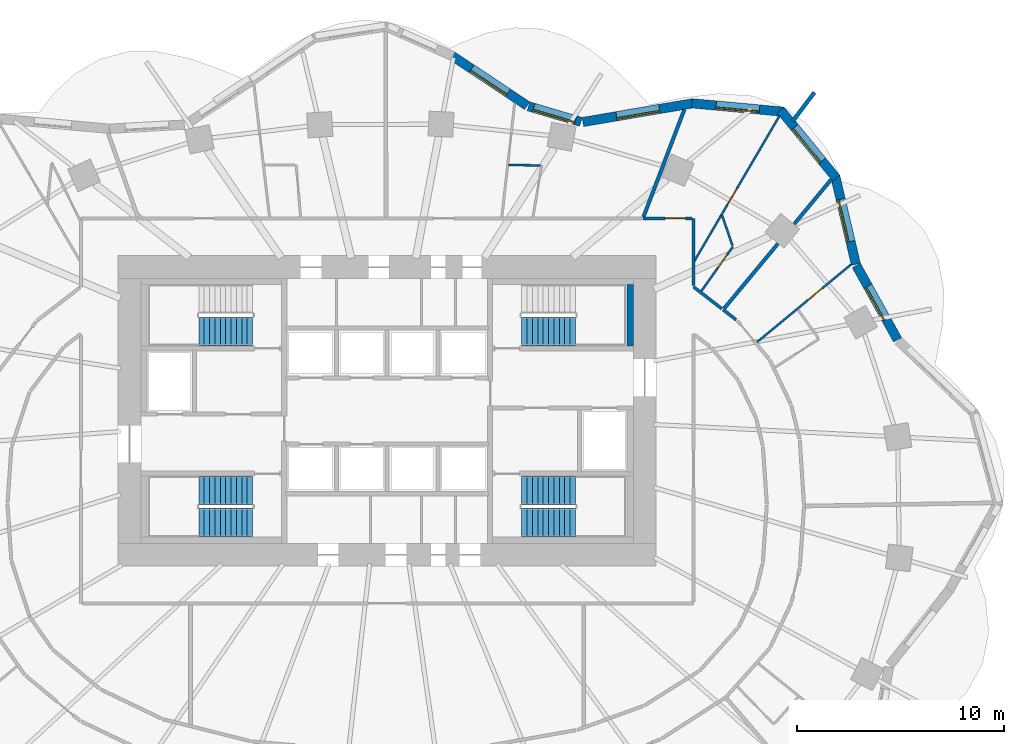
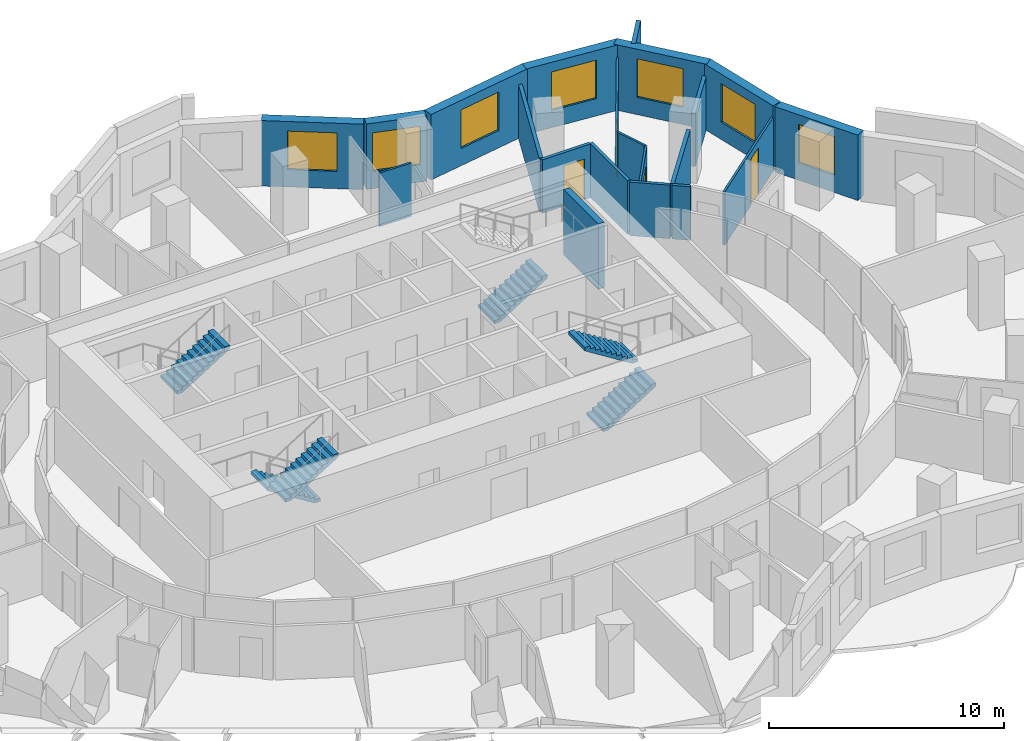
# One storey, part 9 of 11: 21 walls, 7 windows, 6 stair flights, 4 doors, 11 openings, 4 elements without a shape of their own.
"""IFC4 building model written with IfcOpenShell, lengths in metres."""

from ifc_helpers import new_model, si_unit, direction, frame, frame_2d, origin, place, context, subcontext, project, spatial, polyline, rectangle, outline, extrude, material, layer, layer_set, type_object, element, fill, aggregate, save


model = new_model("IFC4")

# Units and contexts
model_context = context("Model", 3, precision=1e-05, world=origin(), true_north=direction((0.0, 1.0)))
body_context = subcontext(model_context, "Body", "Model", "MODEL_VIEW")
ifc_project = project(units=[si_unit("LENGTHUNIT", "METRE"), si_unit("AREAUNIT", "SQUARE_METRE"), si_unit("VOLUMEUNIT", "CUBIC_METRE"), si_unit("PLANEANGLEUNIT", "RADIAN"), si_unit("MASSUNIT", "GRAM", prefix="KILO")], contexts=[model_context])

# Site, building, storey
site_placement = place(None, origin())
site = spatial("IfcSite", under=ifc_project, at=site_placement, CompositionType="ELEMENT")
building_placement = place(site_placement, origin())
building = spatial("IfcBuilding", under=site, at=building_placement, Name="Rubra Terraces Tower", CompositionType="ELEMENT")
storey_placement = place(building_placement, frame((0.0, 0.0, 99.60009765625)))
storey = spatial("IfcBuildingStorey", under=building, at=storey_placement, Name="L23", CompositionType="ELEMENT", Elevation=99.60009765625)

# Walls
ifc_material_1 = material(Name="Twin plasterboard on staggered steel stud, acoustic mineral wool", Category="steel")
ifc_layer_1 = layer(ifc_material_1, 0.175048828125)
ifc_layer_set_1 = layer_set([ifc_layer_1], Name="Twin plasterboard on staggered steel stud, acoustic mineral wool")
wall_type_1 = type_object("IfcWallType", Name="ACOUSTIC PARTY WALL 175", PredefinedType="PARTITIONING", material=ifc_layer_set_1)
wall_1_placement = place(storey_placement, frame((21.45263671875, 15.681640625, 0.0), z_axis=(0.0, 0.0, 1.0), x_axis=(-0.638728991457, -0.769431787407, 0.0)))
element("IfcWall", 1, at=wall_1_placement, inside=storey, type_object=wall_type_1, Name="PARTITION", PredefinedType="PARTITIONING", context=body_context, shape_type="SweptSolid", body=[
    extrude(rectangle(XDim=2.790771484375, YDim=0.175048828125, at=frame_2d((1.3955078125, 0.0))), origin(), (0.0, 0.0, 1.0), 2.783935546875),
])
wall_2_placement = place(storey_placement, frame((18.878173828125, 12.580322265625, 0.0), z_axis=(0.0, 0.0, 1.0), x_axis=(-0.638737279584, -0.769424907102, 0.0)))
element("IfcWall", 2, at=wall_2_placement, inside=storey, type_object=wall_type_1, Name="PARTITION", PredefinedType="PARTITIONING", context=body_context, shape_type="SweptSolid", body=[
    extrude(rectangle(XDim=4.06884765625, YDim=0.175048828125, at=frame_2d((2.034423828125, 0.0))), origin(), (0.0, 0.0, 1.0), 2.783935546875),
])
wall_3_placement = place(storey_placement, frame((14.358642578125, 19.062744140625, 0.0), z_axis=(0.0, 0.0, 1.0), x_axis=(-0.355746808742, -0.934582370939, 0.0)))
element("IfcWall", 3, at=wall_3_placement, inside=storey, type_object=wall_type_1, Name="PARTITION", PredefinedType="PARTITIONING", context=body_context, shape_type="SweptSolid", body=[
    extrude(rectangle(XDim=5.55615234375, YDim=0.175048828125, at=frame_2d((2.778076171875, 0.0))), origin(), (0.0, 0.0, 1.0), 2.783935546875),
])

# Wall, opening, window
ifc_material_2 = material(Name="Brick masonry red-brown", Category="masonry")
ifc_layer_2 = layer(ifc_material_2, 0.449951171875)
ifc_layer_set_2 = layer_set([ifc_layer_2], Name="Brick masonry red-brown")
wall_type_2 = type_object("IfcWallType", Name="Brick facade wall 450", PredefinedType="SOLIDWALL", material=ifc_layer_set_2)
wall_4_placement = place(storey_placement, frame((24.662109375, 7.93896484375, 0.0), z_axis=(0.0, 0.0, 1.0), x_axis=(-0.485153910721, 0.874428775208, 0.0)))
wall_4 = element("IfcWall", 4, at=wall_4_placement, inside=storey, type_object=wall_type_2, Name="Facade wall L23 bay 3", PredefinedType="SOLIDWALL", context=body_context, shape_type="SweptSolid", body=[
    extrude(rectangle(XDim=4.1123046875, YDim=0.449951171875, at=frame_2d((2.05615234375, 0.0))), origin(), (0.0, 0.0, 1.0), 3.39990234375),
])
opening_1_placement = place(wall_4_placement, frame((1.15625, 0.0, 0.89990234375)))
opening_1 = element("IfcOpeningElement", 5, at=opening_1_placement, cuts=wall_4, Name="Opening W6", PredefinedType="OPENING", context=body_context, shape_type="SweptSolid", body=[
    extrude(rectangle(XDim=1.800048828125, YDim=2.0, at=frame_2d((0.89990234375, 1.0))), frame((0.0, 0.23486328125, 0.0), z_axis=(0.0, -1.0, 0.0), x_axis=(1.0, 0.0, 0.0)), (0.0, 0.0, 1.0), 0.469970703125),
])
ifc_material_3 = material(Name="Clear glass in aluminium frame", Category="aluminium")
window_type_1 = type_object("IfcWindowType", Name="Fixed deep-set window at wind fin 1800 x 2000", PartitioningType="SINGLE_PANEL", PredefinedType="WINDOW", material=ifc_material_3)
window_1_placement = place(opening_1_placement, origin())
window_1 = element("IfcWindow", 6, at=window_1_placement, inside=storey, type_object=window_type_1, Name="Window L23 bay 3", OverallHeight=2.0, OverallWidth=1.800048828125, PartitioningType="SINGLE_PANEL", PredefinedType="WINDOW", context=body_context, shape_type="SweptSolid", body=[
    extrude(rectangle(XDim=1.800048828125, YDim=2.0, at=frame_2d((0.89990234375, 1.0))), frame((0.0, 0.135009765625, 0.0), z_axis=(0.0, -1.0, 0.0), x_axis=(1.0, 0.0, 0.0)), (0.0, 0.0, 1.0), 0.06005859375),
])
fill(opening_1, window_1)

wall_5_placement = place(storey_placement, frame((22.646484375, 11.5859375, 0.0), z_axis=(0.0, 0.0, 1.0), x_axis=(-0.227925124198, 0.973678662475, 0.0)))
wall_5 = element("IfcWall", 7, at=wall_5_placement, inside=storey, type_object=wall_type_2, Name="Facade wall L23 bay 4", PredefinedType="SOLIDWALL", context=body_context, shape_type="SweptSolid", body=[
    extrude(rectangle(XDim=4.360595703125, YDim=0.449951171875, at=frame_2d((2.18017578125, 0.0))), origin(), (0.0, 0.0, 1.0), 3.39990234375),
])
opening_2_placement = place(wall_5_placement, frame((1.13037109375, 0.0, 0.89990234375)))
opening_2 = element("IfcOpeningElement", 8, at=opening_2_placement, cuts=wall_5, Name="Opening W1", PredefinedType="OPENING", context=body_context, shape_type="SweptSolid", body=[
    extrude(rectangle(XDim=2.10009765625, YDim=2.0, at=frame_2d((1.050048828125, 1.0))), frame((0.0, 0.23486328125, 0.0), z_axis=(0.0, -1.0, 0.0), x_axis=(1.0, 0.0, 0.0)), (0.0, 0.0, 1.0), 0.469970703125),
])
window_type_2 = type_object("IfcWindowType", Name="Fixed deep-set window 2100 x 2000", PartitioningType="SINGLE_PANEL", PredefinedType="WINDOW", material=ifc_material_3)
window_2_placement = place(opening_2_placement, origin())
window_2 = element("IfcWindow", 9, at=window_2_placement, inside=storey, type_object=window_type_2, Name="Window L23 bay 4", OverallHeight=2.0, OverallWidth=2.10009765625, PartitioningType="SINGLE_PANEL", PredefinedType="WINDOW", context=body_context, shape_type="SweptSolid", body=[
    extrude(rectangle(XDim=2.10009765625, YDim=2.0, at=frame_2d((1.050048828125, 1.0))), frame((0.0, 0.135009765625, 0.0), z_axis=(0.0, -1.0, 0.0), x_axis=(1.0, 0.0, 0.0)), (0.0, 0.0, 1.0), 0.06005859375),
])
fill(opening_2, window_2)

wall_6_placement = place(storey_placement, frame((21.69580078125, 15.74755859375, 0.0), z_axis=(0.0, 0.0, 1.0), x_axis=(-0.632968710519, 0.774177377288, 0.0)))
wall_6 = element("IfcWall", 10, at=wall_6_placement, inside=storey, type_object=wall_type_2, Name="Facade wall L23 bay 5", PredefinedType="SOLIDWALL", context=body_context, shape_type="SweptSolid", body=[
    extrude(rectangle(XDim=4.249755859375, YDim=0.449951171875, at=frame_2d((2.125, 0.0))), origin(), (0.0, 0.0, 1.0), 3.39990234375),
])
opening_3_placement = place(wall_6_placement, frame((1.074951171875, 0.0, 0.89990234375)))
opening_3 = element("IfcOpeningElement", 11, at=opening_3_placement, cuts=wall_6, Name="Opening W1", PredefinedType="OPENING", context=body_context, shape_type="SweptSolid", body=[
    extrude(rectangle(XDim=2.10009765625, YDim=2.0, at=frame_2d((1.050048828125, 1.0))), frame((0.0, 0.23486328125, 0.0), z_axis=(0.0, -1.0, 0.0), x_axis=(1.0, 0.0, 0.0)), (0.0, 0.0, 1.0), 0.469970703125),
])
window_3_placement = place(opening_3_placement, origin())
window_3 = element("IfcWindow", 12, at=window_3_placement, inside=storey, type_object=window_type_2, Name="Window L23 bay 5", OverallHeight=2.0, OverallWidth=2.10009765625, PartitioningType="SINGLE_PANEL", PredefinedType="WINDOW", context=body_context, shape_type="SweptSolid", body=[
    extrude(rectangle(XDim=2.10009765625, YDim=2.0, at=frame_2d((1.050048828125, 1.0))), frame((0.0, 0.135009765625, 0.0), z_axis=(0.0, -1.0, 0.0), x_axis=(1.0, 0.0, 0.0)), (0.0, 0.0, 1.0), 0.06005859375),
])
fill(opening_3, window_3)

wall_7_placement = place(storey_placement, frame((19.1591796875, 18.955810546875, 0.0), z_axis=(0.0, 0.0, 1.0), x_axis=(-0.995777399421, 0.091800712424, 0.0)))
wall_7 = element("IfcWall", 13, at=wall_7_placement, inside=storey, type_object=wall_type_2, Name="Facade wall L23 bay 6", PredefinedType="SOLIDWALL", context=body_context, shape_type="SweptSolid", body=[
    extrude(rectangle(XDim=4.45458984375, YDim=0.449951171875, at=frame_2d((2.227294921875, 0.0))), origin(), (0.0, 0.0, 1.0), 3.39990234375),
])
opening_4_placement = place(wall_7_placement, frame((1.177490234375, 0.0, 0.89990234375)))
opening_4 = element("IfcOpeningElement", 14, at=opening_4_placement, cuts=wall_7, Name="Opening W1", PredefinedType="OPENING", context=body_context, shape_type="SweptSolid", body=[
    extrude(rectangle(XDim=2.10009765625, YDim=2.0, at=frame_2d((1.050048828125, 1.0))), frame((0.0, 0.23486328125, 0.0), z_axis=(0.0, -1.0, 0.0), x_axis=(1.0, 0.0, 0.0)), (0.0, 0.0, 1.0), 0.469970703125),
])
window_4_placement = place(opening_4_placement, origin())
window_4 = element("IfcWindow", 15, at=window_4_placement, inside=storey, type_object=window_type_2, Name="Window L23 bay 6", OverallHeight=2.0, OverallWidth=2.10009765625, PartitioningType="SINGLE_PANEL", PredefinedType="WINDOW", context=body_context, shape_type="SweptSolid", body=[
    extrude(rectangle(XDim=2.10009765625, YDim=2.0, at=frame_2d((1.050048828125, 1.0))), frame((0.0, 0.135009765625, 0.0), z_axis=(0.0, -1.0, 0.0), x_axis=(1.0, 0.0, 0.0)), (0.0, 0.0, 1.0), 0.06005859375),
])
fill(opening_4, window_4)

wall_8_placement = place(storey_placement, frame((14.78173828125, 19.366943359375, 0.0), z_axis=(0.0, 0.0, 1.0), x_axis=(-0.98585584667, -0.167595493934, 0.0)))
wall_8 = element("IfcWall", 16, at=wall_8_placement, inside=storey, type_object=wall_type_2, Name="Facade wall L23 bay 7", PredefinedType="SOLIDWALL", context=body_context, shape_type="SweptSolid", body=[
    extrude(rectangle(XDim=5.398681640625, YDim=0.449951171875, at=frame_2d((2.69921875, 0.0))), origin(), (0.0, 0.0, 1.0), 3.39990234375),
])
opening_5_placement = place(wall_8_placement, frame((1.6494140625, 0.0, 0.89990234375)))
opening_5 = element("IfcOpeningElement", 17, at=opening_5_placement, cuts=wall_8, Name="Opening W1", PredefinedType="OPENING", context=body_context, shape_type="SweptSolid", body=[
    extrude(rectangle(XDim=2.10009765625, YDim=2.0, at=frame_2d((1.050048828125, 1.0))), frame((0.0, 0.23486328125, 0.0), z_axis=(0.0, -1.0, 0.0), x_axis=(1.0, 0.0, 0.0)), (0.0, 0.0, 1.0), 0.469970703125),
])
window_5_placement = place(opening_5_placement, origin())
window_5 = element("IfcWindow", 18, at=window_5_placement, inside=storey, type_object=window_type_2, Name="Window L23 bay 7", OverallHeight=2.0, OverallWidth=2.10009765625, PartitioningType="SINGLE_PANEL", PredefinedType="WINDOW", context=body_context, shape_type="SweptSolid", body=[
    extrude(rectangle(XDim=2.10009765625, YDim=2.0, at=frame_2d((1.050048828125, 1.0))), frame((0.0, 0.135009765625, 0.0), z_axis=(0.0, -1.0, 0.0), x_axis=(1.0, 0.0, 0.0)), (0.0, 0.0, 1.0), 0.06005859375),
])
fill(opening_5, window_5)

wall_9_placement = place(storey_placement, frame((9.357421875, 18.468505859375, 0.0), z_axis=(0.0, 0.0, 1.0), x_axis=(-0.958524054629, 0.285011643091, 0.0)))
wall_9 = element("IfcWall", 19, at=wall_9_placement, inside=storey, type_object=wall_type_2, Name="Facade wall L23 bay 8", PredefinedType="SOLIDWALL", context=body_context, shape_type="SweptSolid", body=[
    extrude(rectangle(XDim=2.637451171875, YDim=0.449951171875, at=frame_2d((1.31884765625, 0.0))), origin(), (0.0, 0.0, 1.0), 3.39990234375),
])
opening_6_placement = place(wall_9_placement, frame((0.268798828125, 0.0, 0.89990234375)))
opening_6 = element("IfcOpeningElement", 20, at=opening_6_placement, cuts=wall_9, Name="Opening W1", PredefinedType="OPENING", context=body_context, shape_type="SweptSolid", body=[
    extrude(rectangle(XDim=2.10009765625, YDim=2.0, at=frame_2d((1.050048828125, 1.0))), frame((0.0, 0.23486328125, 0.0), z_axis=(0.0, -1.0, 0.0), x_axis=(1.0, 0.0, 0.0)), (0.0, 0.0, 1.0), 0.469970703125),
])
window_6_placement = place(opening_6_placement, origin())
window_6 = element("IfcWindow", 21, at=window_6_placement, inside=storey, type_object=window_type_2, Name="Window L23 bay 8", OverallHeight=2.0, OverallWidth=2.10009765625, PartitioningType="SINGLE_PANEL", PredefinedType="WINDOW", context=body_context, shape_type="SweptSolid", body=[
    extrude(rectangle(XDim=2.10009765625, YDim=2.0, at=frame_2d((1.050048828125, 1.0))), frame((0.0, 0.135009765625, 0.0), z_axis=(0.0, -1.0, 0.0), x_axis=(1.0, 0.0, 0.0)), (0.0, 0.0, 1.0), 0.06005859375),
])
fill(opening_6, window_6)

wall_10_placement = place(storey_placement, frame((6.76904296875, 19.248291015625, 0.0), z_axis=(0.0, 0.0, 1.0), x_axis=(-0.832973379274, 0.553313066375, 0.0)))
wall_10 = element("IfcWall", 22, at=wall_10_placement, inside=storey, type_object=wall_type_2, Name="Facade wall L23 bay 9", PredefinedType="SOLIDWALL", context=body_context, shape_type="SweptSolid", body=[
    extrude(rectangle(XDim=4.348388671875, YDim=0.449951171875, at=frame_2d((2.17431640625, 0.0))), origin(), (0.0, 0.0, 1.0), 3.39990234375),
])
opening_7_placement = place(wall_10_placement, frame((1.1240234375, 0.0, 0.89990234375)))
opening_7 = element("IfcOpeningElement", 23, at=opening_7_placement, cuts=wall_10, Name="Opening W1", PredefinedType="OPENING", context=body_context, shape_type="SweptSolid", body=[
    extrude(rectangle(XDim=2.10009765625, YDim=2.0, at=frame_2d((1.050048828125, 1.0))), frame((0.0, 0.23486328125, 0.0), z_axis=(0.0, -1.0, 0.0), x_axis=(1.0, 0.0, 0.0)), (0.0, 0.0, 1.0), 0.469970703125),
])
window_7_placement = place(opening_7_placement, origin())
window_7 = element("IfcWindow", 24, at=window_7_placement, inside=storey, type_object=window_type_2, Name="Window L23 bay 9", OverallHeight=2.0, OverallWidth=2.10009765625, PartitioningType="SINGLE_PANEL", PredefinedType="WINDOW", context=body_context, shape_type="SweptSolid", body=[
    extrude(rectangle(XDim=2.10009765625, YDim=2.0, at=frame_2d((1.050048828125, 1.0))), frame((0.0, 0.135009765625, 0.0), z_axis=(0.0, -1.0, 0.0), x_axis=(1.0, 0.0, 0.0)), (0.0, 0.0, 1.0), 0.06005859375),
])
fill(opening_7, window_7)

# Walls
ifc_layer_3 = layer(ifc_material_2, 0.199951171875)
ifc_layer_set_3 = layer_set([ifc_layer_3], Name="Brick masonry red-brown")
wall_type_3 = type_object("IfcWallType", Name="Brick wind fin 200", PredefinedType="SOLIDWALL", material=ifc_layer_set_3)
wall_11_placement = place(storey_placement, frame((19.591064453125, 18.498046875, 0.0), z_axis=(0.0, 0.0, 1.0), x_axis=(0.603387525063, 0.797448114048, 0.0)))
element("IfcWall", 25, at=wall_11_placement, inside=storey, type_object=wall_type_3, Name="Wind fin L23 3", PredefinedType="SOLIDWALL", context=body_context, shape_type="SweptSolid", body=[
    extrude(rectangle(XDim=1.75, YDim=0.199951171875, at=frame_2d((0.875, 0.0))), origin(), (0.0, 0.0, 1.0), 3.39990234375),
])
ifc_material_4 = material(Name="Plasterboard on steel stud, mineral wool infill", Category="steel")
ifc_layer_4 = layer(ifc_material_4, 0.14990234375)
ifc_layer_set_4 = layer_set([ifc_layer_4], Name="Plasterboard on steel stud, mineral wool infill")
wall_type_4 = type_object("IfcWallType", Name="CORRIDOR PARTITION 150", PredefinedType="PARTITIONING", material=ifc_layer_set_4)
wall_12_placement = place(storey_placement, frame((16.86181640625, 8.905029296875, 0.0), z_axis=(0.0, 0.0, 1.0), x_axis=(-0.791460242133, 0.611220651748, 0.0)))
element("IfcWall", 26, at=wall_12_placement, inside=storey, type_object=wall_type_4, Name="PARTITION", PredefinedType="PARTITIONING", context=body_context, shape_type="SweptSolid", body=[
    extrude(rectangle(XDim=0.79638671875, YDim=0.14990234375, at=frame_2d((0.398193359375, 0.0))), origin(), (0.0, 0.0, 1.0), 2.783935546875),
])
wall_13_placement = place(storey_placement, frame((16.172119140625, 9.437744140625, 0.0), z_axis=(0.0, 0.0, 1.0), x_axis=(-0.791607054889, 0.611030498952, 0.0)))
element("IfcWall", 27, at=wall_13_placement, inside=storey, type_object=wall_type_4, Name="PARTITION", PredefinedType="PARTITIONING", context=body_context, shape_type="SweptSolid", body=[
    extrude(rectangle(XDim=1.733154296875, YDim=0.14990234375, at=frame_2d((0.86669921875, 0.0))), origin(), (0.0, 0.0, 1.0), 2.783935546875),
])
wall_14_placement = place(storey_placement, frame((14.800048828125, 10.57177734375, 0.0), z_axis=(0.0, 0.0, 1.0), x_axis=(0.0, 1.0, 0.0)))
element("IfcWall", 28, at=wall_14_placement, inside=storey, type_object=wall_type_4, Name="PARTITION", PredefinedType="PARTITIONING", context=body_context, shape_type="SweptSolid", body=[
    extrude(rectangle(XDim=3.228271484375, YDim=0.14990234375, at=frame_2d((1.6142578125, 0.0))), origin(), (0.0, 0.0, 1.0), 2.783935546875),
])

# Wall, opening, door
wall_15_placement = place(storey_placement, frame((14.72509765625, 13.800048828125, 0.0), z_axis=(0.0, 0.0, 1.0), x_axis=(-1.0, 0.0, 0.0)))
wall_15 = element("IfcWall", 29, at=wall_15_placement, inside=storey, type_object=wall_type_4, Name="PARTITION", PredefinedType="PARTITIONING", context=body_context, shape_type="SweptSolid", body=[
    extrude(rectangle(XDim=2.36962890625, YDim=0.14990234375, at=frame_2d((1.184814453125, 0.0))), origin(), (0.0, 0.0, 1.0), 2.783935546875),
])
opening_8_placement = place(wall_15_placement, frame((0.300048828125, 0.0, 0.0)))
opening_8 = element("IfcOpeningElement", 30, at=opening_8_placement, cuts=wall_15, Name="Opening 23-125", PredefinedType="OPENING", context=body_context, shape_type="SweptSolid", body=[
    extrude(rectangle(XDim=1.0, YDim=2.10009765625, at=frame_2d((0.5, 1.050048828125))), frame((0.0, 0.0849609375, 0.0), z_axis=(0.0, -1.0, 0.0), x_axis=(1.0, 0.0, 0.0)), (0.0, 0.0, 1.0), 0.169921875),
])
ifc_material_5 = material(Name="Painted timber door leaf", Category="wood")
door_type_1 = type_object("IfcDoorType", Name="ROOM DOOR 1000 X 2100", OperationType="SINGLE_SWING_LEFT", PredefinedType="DOOR", material=ifc_material_5)
door_1_placement = place(opening_8_placement, origin())
door_1 = element("IfcDoor", 31, at=door_1_placement, inside=storey, type_object=door_type_1, Name="DOOR 23-125", OperationType="SINGLE_SWING_RIGHT", OverallHeight=2.10009765625, OverallWidth=1.0, PredefinedType="DOOR", context=body_context, shape_type="SweptSolid", body=[
    extrude(rectangle(XDim=1.0, YDim=2.10009765625, at=frame_2d((0.5, 1.050048828125))), frame((0.0, 0.02490234375, 0.0), z_axis=(0.0, -1.0, 0.0), x_axis=(1.0, 0.0, 0.0)), (0.0, 0.0, 1.0), 0.050048828125),
])
fill(opening_8, door_1)

# Wall
ifc_material_6 = material(Name="Concrete C40", Category="concrete")
ifc_layer_5 = layer(ifc_material_6, 0.300048828125)
ifc_layer_set_5 = layer_set([ifc_layer_5], Name="Concrete C40")
wall_type_5 = type_object("IfcWallType", Name="Core lining wall 300 concrete", PredefinedType="SOLIDWALL", material=ifc_layer_set_5)
wall_16_placement = place(storey_placement, frame((11.75, 10.60009765625, 0.0), z_axis=(0.0, 0.0, 1.0), x_axis=(0.0, -1.0, 0.0)))
element("IfcWall", 32, at=wall_16_placement, inside=storey, type_object=wall_type_5, Name="CORE LINING WALL L23", PredefinedType="SOLIDWALL", context=body_context, shape_type="SweptSolid", body=[
    extrude(rectangle(XDim=2.9501953125, YDim=0.300048828125, at=frame_2d((1.47509765625, 0.0))), origin(), (0.0, 0.0, 1.0), 3.39990234375),
])

# Wall, opening, door
ifc_material_7 = material(Name="Plasterboard on steel stud", Category="steel")
ifc_layer_6 = layer(ifc_material_7, 0.10009765625)
ifc_layer_set_6 = layer_set([ifc_layer_6], Name="Plasterboard on steel stud")
wall_type_6 = type_object("IfcWallType", Name="ROOM PARTITION 100", PredefinedType="PARTITIONING", material=ifc_layer_set_6)
wall_17_placement = place(storey_placement, frame((22.41357421875, 11.576416015625, 0.0), z_axis=(0.0, 0.0, 1.0), x_axis=(-0.77113161257, -0.636675769992, 0.0)))
wall_17 = element("IfcWall", 33, at=wall_17_placement, inside=storey, type_object=wall_type_6, Name="PARTITION", PredefinedType="PARTITIONING", context=body_context, shape_type="SweptSolid", body=[
    extrude(rectangle(XDim=5.890380859375, YDim=0.10009765625, at=frame_2d((2.9453125, 0.0))), origin(), (0.0, 0.0, 1.0), 2.783935546875),
])
opening_9_placement = place(wall_17_placement, frame((1.81494140625, 0.0, 0.0)))
opening_9 = element("IfcOpeningElement", 34, at=opening_9_placement, cuts=wall_17, Name="Opening 23-121", PredefinedType="OPENING", context=body_context, shape_type="SweptSolid", body=[
    extrude(rectangle(XDim=0.89990234375, YDim=2.39990234375, at=frame_2d((0.449951171875, 1.199951171875))), frame((0.0, 0.06005859375, 0.0), z_axis=(0.0, -1.0, 0.0), x_axis=(1.0, 0.0, 0.0)), (0.0, 0.0, 1.0), 0.1201171875),
])
ifc_material_8 = material(Name="Veneered timber door leaf, fire-rated", Category="wood")
door_type_2 = type_object("IfcDoorType", Name="SUITE ENTRANCE DOOR 900 X 2400", OperationType="SINGLE_SWING_LEFT", PredefinedType="DOOR", material=ifc_material_8)
door_2_placement = place(opening_9_placement, origin())
door_2 = element("IfcDoor", 35, at=door_2_placement, inside=storey, type_object=door_type_2, Name="DOOR 23-121", OperationType="SINGLE_SWING_LEFT", OverallHeight=2.39990234375, OverallWidth=0.89990234375, PredefinedType="DOOR", context=body_context, shape_type="SweptSolid", body=[
    extrude(rectangle(XDim=0.89990234375, YDim=2.39990234375, at=frame_2d((0.449951171875, 1.199951171875))), frame((0.0, 0.02490234375, 0.0), z_axis=(0.0, -1.0, 0.0), x_axis=(1.0, 0.0, 0.0)), (0.0, 0.0, 1.0), 0.050048828125),
])
fill(opening_9, door_2)

wall_18_placement = place(storey_placement, frame((18.94873046875, 18.745361328125, 0.0), z_axis=(0.0, 0.0, 1.0), x_axis=(-0.505754187447, -0.862677634972, 0.0)))
wall_18 = element("IfcWall", 36, at=wall_18_placement, inside=storey, type_object=wall_type_6, Name="PARTITION", PredefinedType="PARTITIONING", context=body_context, shape_type="SweptSolid", body=[
    extrude(rectangle(XDim=8.128173828125, YDim=0.10009765625, at=frame_2d((4.06396484375, 0.0))), origin(), (0.0, 0.0, 1.0), 2.783935546875),
])
opening_10_placement = place(wall_18_placement, frame((4.052978515625, 0.0, 0.0)))
opening_10 = element("IfcOpeningElement", 37, at=opening_10_placement, cuts=wall_18, Name="Opening 23-124", PredefinedType="OPENING", context=body_context, shape_type="SweptSolid", body=[
    extrude(rectangle(XDim=0.89990234375, YDim=2.39990234375, at=frame_2d((0.449951171875, 1.199951171875))), frame((0.0, 0.06005859375, 0.0), z_axis=(0.0, -1.0, 0.0), x_axis=(1.0, 0.0, 0.0)), (0.0, 0.0, 1.0), 0.1201171875),
])
door_3_placement = place(opening_10_placement, origin())
door_3 = element("IfcDoor", 38, at=door_3_placement, inside=storey, type_object=door_type_2, Name="DOOR 23-124", OperationType="SINGLE_SWING_LEFT", OverallHeight=2.39990234375, OverallWidth=0.89990234375, PredefinedType="DOOR", context=body_context, shape_type="SweptSolid", body=[
    extrude(rectangle(XDim=0.89990234375, YDim=2.39990234375, at=frame_2d((0.449951171875, 1.199951171875))), frame((0.0, 0.02490234375, 0.0), z_axis=(0.0, -1.0, 0.0), x_axis=(1.0, 0.0, 0.0)), (0.0, 0.0, 1.0), 0.050048828125),
])
fill(opening_10, door_3)

wall_19_placement = place(storey_placement, frame((15.1826171875, 10.296142578125, 0.0), z_axis=(0.0, 0.0, 1.0), x_axis=(0.578992412459, 0.815332929738, 0.0)))
wall_19 = element("IfcWall", 39, at=wall_19_placement, inside=storey, type_object=wall_type_6, Name="PARTITION", PredefinedType="PARTITIONING", context=body_context, shape_type="SweptSolid", body=[
    extrude(rectangle(XDim=2.624755859375, YDim=0.10009765625, at=frame_2d((1.3125, 0.0))), origin(), (0.0, 0.0, 1.0), 2.783935546875),
])
opening_11_placement = place(wall_19_placement, frame((1.35009765625, 0.0, 0.0)))
opening_11 = element("IfcOpeningElement", 40, at=opening_11_placement, cuts=wall_19, Name="Opening 23-123", PredefinedType="OPENING", context=body_context, shape_type="SweptSolid", body=[
    extrude(rectangle(XDim=0.800048828125, YDim=2.10009765625, at=frame_2d((0.39990234375, 1.050048828125))), frame((0.0, 0.06005859375, 0.0), z_axis=(0.0, -1.0, 0.0), x_axis=(1.0, 0.0, 0.0)), (0.0, 0.0, 1.0), 0.1201171875),
])
door_type_3 = type_object("IfcDoorType", Name="BATHROOM DOOR 800 X 2100", OperationType="SINGLE_SWING_LEFT", PredefinedType="DOOR", material=ifc_material_5)
door_4_placement = place(opening_11_placement, origin())
door_4 = element("IfcDoor", 41, at=door_4_placement, inside=storey, type_object=door_type_3, Name="DOOR 23-123", OperationType="SINGLE_SWING_LEFT", OverallHeight=2.10009765625, OverallWidth=0.800048828125, PredefinedType="DOOR", context=body_context, shape_type="SweptSolid", body=[
    extrude(rectangle(XDim=0.800048828125, YDim=2.10009765625, at=frame_2d((0.39990234375, 1.050048828125))), frame((0.0, 0.02490234375, 0.0), z_axis=(0.0, -1.0, 0.0), x_axis=(1.0, 0.0, 0.0)), (0.0, 0.0, 1.0), 0.050048828125),
])
fill(opening_11, door_4)

# Walls
wall_20_placement = place(storey_placement, frame((16.686279296875, 12.483642578125, 0.0), z_axis=(0.0, 0.0, 1.0), x_axis=(-0.325136945244, 0.94566694287, 0.0)))
element("IfcWall", 42, at=wall_20_placement, inside=storey, type_object=wall_type_6, Name="PARTITION", PredefinedType="PARTITIONING", context=body_context, shape_type="SweptSolid", body=[
    extrude(rectangle(XDim=1.55126953125, YDim=0.10009765625, at=frame_2d((0.775634765625, 0.0))), origin(), (0.0, 0.0, 1.0), 2.783935546875),
])
wall_21_placement = place(storey_placement, frame((7.41552734375, 16.3642578125, 0.0), z_axis=(0.0, 0.0, 1.0), x_axis=(-0.999925671337, 0.012192284512, 0.0)))
element("IfcWall", 43, at=wall_21_placement, inside=storey, type_object=wall_type_6, Name="PARTITION", PredefinedType="PARTITIONING", context=body_context, shape_type="SweptSolid", body=[
    extrude(rectangle(XDim=1.541748046875, YDim=0.10009765625, at=frame_2d((0.77099609375, 0.0))), origin(), (0.0, 0.0, 1.0), 2.783935546875),
])

# Stair, stair flights
stair_type = type_object("IfcStairType", Name="Core stair 1400", PredefinedType="HALF_TURN_STAIR", material=ifc_material_6)
stair_1_placement = place(storey_placement, origin())
stair_1 = element("IfcStair", 44, at=stair_1_placement, inside=storey, type_object=stair_type, Name="L23 Exit stair S1", PredefinedType="HALF_TURN_STAIR")
stair_flight_type = type_object("IfcStairFlightType", Name="Core stair flight 1400", PredefinedType="STRAIGHT", material=ifc_material_6)
stair_flight_1_placement = place(storey_placement, frame((-6.5, 0.64990234375, 0.0), z_axis=(0.0, 0.0, 1.0), x_axis=(-1.0, 0.0, 0.0)))
stair_flight_1 = element("IfcStairFlight", 45, at=stair_flight_1_placement, type_object=stair_flight_type, Name="S1 flight 1", NumberOfRisers=11, NumberOfTreads=10, PredefinedType="STRAIGHT", RiserHeight=0.163636364, TreadLength=0.26, context=body_context, shape_type="SweptSolid", body=[
    extrude(outline(polyline([(0.0, 0.0), (0.0, 0.16357421875), (0.260009765625, 0.16357421875), (0.260009765625, 0.327392578125), (0.52001953125, 0.327392578125), (0.52001953125, 0.490966796875), (0.780029296875, 0.490966796875), (0.780029296875, 0.654541015625), (1.0400390625, 0.654541015625), (1.0400390625, 0.818115234375), (1.300048828125, 0.818115234375), (1.300048828125, 0.98193359375), (1.56005859375, 0.98193359375), (1.56005859375, 1.1455078125), (1.820068359375, 1.1455078125), (1.820068359375, 1.30908203125), (2.080078125, 1.30908203125), (2.080078125, 1.47265625), (2.340087890625, 1.47265625), (2.340087890625, 1.636474609375), (2.60009765625, 1.636474609375), (2.60009765625, 1.800048828125), (2.60009765625, 1.459228515625), (0.281494140625, 0.0), (0.0, 0.0)])), frame((0.0, 0.699951171875, 0.0), z_axis=(0.0, -1.0, 0.0), x_axis=(1.0, 0.0, 0.0)), (0.0, 0.0, 1.0), 1.39990234375),
])
stair_flight_2_placement = place(storey_placement, frame((-9.10009765625, -0.89990234375, 1.7998046875), z_axis=(0.0, 0.0, 1.0), x_axis=(1.0, 0.0, 0.0)))
stair_flight_2 = element("IfcStairFlight", 46, at=stair_flight_2_placement, type_object=stair_flight_type, Name="S1 flight 2", NumberOfRisers=11, NumberOfTreads=10, PredefinedType="STRAIGHT", RiserHeight=0.163636364, TreadLength=0.26, context=body_context, shape_type="SweptSolid", body=[
    extrude(outline(polyline([(0.0, 0.0), (0.0, 0.16357421875), (0.260009765625, 0.16357421875), (0.260009765625, 0.327392578125), (0.52001953125, 0.327392578125), (0.52001953125, 0.490966796875), (0.780029296875, 0.490966796875), (0.780029296875, 0.654541015625), (1.0400390625, 0.654541015625), (1.0400390625, 0.818115234375), (1.300048828125, 0.818115234375), (1.300048828125, 0.98193359375), (1.56005859375, 0.98193359375), (1.56005859375, 1.1455078125), (1.820068359375, 1.1455078125), (1.820068359375, 1.30908203125), (2.080078125, 1.30908203125), (2.080078125, 1.47265625), (2.340087890625, 1.47265625), (2.340087890625, 1.636474609375), (2.60009765625, 1.636474609375), (2.60009765625, 1.800048828125), (2.60009765625, 1.459228515625), (0.281494140625, 0.0), (0.0, 0.0)])), frame((0.0, 0.699951171875, 0.0), z_axis=(0.0, -1.0, 0.0), x_axis=(1.0, 0.0, 0.0)), (0.0, 0.0, 1.0), 1.39990234375),
])
aggregate(stair_1, [stair_flight_1, stair_flight_2])

# Stair, stair flight
stair_2_placement = place(storey_placement, origin())
stair_2 = element("IfcStair", 47, at=stair_2_placement, inside=storey, type_object=stair_type, Name="L23 Exit stair S2", PredefinedType="HALF_TURN_STAIR")
stair_flight_3_placement = place(storey_placement, frame((-9.10009765625, 8.35009765625, 1.7998046875), z_axis=(0.0, 0.0, 1.0), x_axis=(1.0, 0.0, 0.0)))
stair_flight_3 = element("IfcStairFlight", 48, at=stair_flight_3_placement, type_object=stair_flight_type, Name="S2 flight 2", NumberOfRisers=11, NumberOfTreads=10, PredefinedType="STRAIGHT", RiserHeight=0.163636364, TreadLength=0.26, context=body_context, shape_type="SweptSolid", body=[
    extrude(outline(polyline([(0.0, 0.0), (0.0, 0.16357421875), (0.260009765625, 0.16357421875), (0.260009765625, 0.327392578125), (0.52001953125, 0.327392578125), (0.52001953125, 0.490966796875), (0.780029296875, 0.490966796875), (0.780029296875, 0.654541015625), (1.0400390625, 0.654541015625), (1.0400390625, 0.818115234375), (1.300048828125, 0.818115234375), (1.300048828125, 0.98193359375), (1.56005859375, 0.98193359375), (1.56005859375, 1.1455078125), (1.820068359375, 1.1455078125), (1.820068359375, 1.30908203125), (2.080078125, 1.30908203125), (2.080078125, 1.47265625), (2.340087890625, 1.47265625), (2.340087890625, 1.636474609375), (2.60009765625, 1.636474609375), (2.60009765625, 1.800048828125), (2.60009765625, 1.459228515625), (0.281494140625, 0.0), (0.0, 0.0)])), frame((0.0, 0.699951171875, 0.0), z_axis=(0.0, -1.0, 0.0), x_axis=(1.0, 0.0, 0.0)), (0.0, 0.0, 1.0), 1.39990234375),
])
aggregate(stair_2, [stair_flight_3])

stair_3_placement = place(storey_placement, origin())
stair_3 = element("IfcStair", 49, at=stair_3_placement, inside=storey, type_object=stair_type, Name="L23 Exit stair S3", PredefinedType="HALF_TURN_STAIR")
stair_flight_4_placement = place(storey_placement, frame((6.5, 8.35009765625, 0.0), z_axis=(0.0, 0.0, 1.0), x_axis=(1.0, 0.0, 0.0)))
stair_flight_4 = element("IfcStairFlight", 50, at=stair_flight_4_placement, type_object=stair_flight_type, Name="S3 flight 1", NumberOfRisers=11, NumberOfTreads=10, PredefinedType="STRAIGHT", RiserHeight=0.163636364, TreadLength=0.26, context=body_context, shape_type="SweptSolid", body=[
    extrude(outline(polyline([(0.0, 0.0), (0.0, 0.16357421875), (0.260009765625, 0.16357421875), (0.260009765625, 0.327392578125), (0.52001953125, 0.327392578125), (0.52001953125, 0.490966796875), (0.780029296875, 0.490966796875), (0.780029296875, 0.654541015625), (1.0400390625, 0.654541015625), (1.0400390625, 0.818115234375), (1.300048828125, 0.818115234375), (1.300048828125, 0.98193359375), (1.56005859375, 0.98193359375), (1.56005859375, 1.1455078125), (1.820068359375, 1.1455078125), (1.820068359375, 1.30908203125), (2.080078125, 1.30908203125), (2.080078125, 1.47265625), (2.340087890625, 1.47265625), (2.340087890625, 1.636474609375), (2.60009765625, 1.636474609375), (2.60009765625, 1.800048828125), (2.60009765625, 1.459228515625), (0.281494140625, 0.0), (0.0, 0.0)])), frame((0.0, 0.699951171875, 0.0), z_axis=(0.0, -1.0, 0.0), x_axis=(1.0, 0.0, 0.0)), (0.0, 0.0, 1.0), 1.39990234375),
])
aggregate(stair_3, [stair_flight_4])

# Stair, stair flights
stair_4_placement = place(storey_placement, origin())
stair_4 = element("IfcStair", 51, at=stair_4_placement, inside=storey, type_object=stair_type, Name="L23 Exit stair S4", PredefinedType="HALF_TURN_STAIR")
stair_flight_5_placement = place(storey_placement, frame((6.5, -0.89990234375, 0.0), z_axis=(0.0, 0.0, 1.0), x_axis=(1.0, 0.0, 0.0)))
stair_flight_5 = element("IfcStairFlight", 52, at=stair_flight_5_placement, type_object=stair_flight_type, Name="S4 flight 1", NumberOfRisers=11, NumberOfTreads=10, PredefinedType="STRAIGHT", RiserHeight=0.163636364, TreadLength=0.26, context=body_context, shape_type="SweptSolid", body=[
    extrude(outline(polyline([(0.0, 0.0), (0.0, 0.16357421875), (0.260009765625, 0.16357421875), (0.260009765625, 0.327392578125), (0.52001953125, 0.327392578125), (0.52001953125, 0.490966796875), (0.780029296875, 0.490966796875), (0.780029296875, 0.654541015625), (1.0400390625, 0.654541015625), (1.0400390625, 0.818115234375), (1.300048828125, 0.818115234375), (1.300048828125, 0.98193359375), (1.56005859375, 0.98193359375), (1.56005859375, 1.1455078125), (1.820068359375, 1.1455078125), (1.820068359375, 1.30908203125), (2.080078125, 1.30908203125), (2.080078125, 1.47265625), (2.340087890625, 1.47265625), (2.340087890625, 1.636474609375), (2.60009765625, 1.636474609375), (2.60009765625, 1.800048828125), (2.60009765625, 1.459228515625), (0.281494140625, 0.0), (0.0, 0.0)])), frame((0.0, 0.699951171875, 0.0), z_axis=(0.0, -1.0, 0.0), x_axis=(1.0, 0.0, 0.0)), (0.0, 0.0, 1.0), 1.39990234375),
])
stair_flight_6_placement = place(storey_placement, frame((9.10009765625, 0.64990234375, 1.7998046875), z_axis=(0.0, 0.0, 1.0), x_axis=(-1.0, 0.0, 0.0)))
stair_flight_6 = element("IfcStairFlight", 53, at=stair_flight_6_placement, type_object=stair_flight_type, Name="S4 flight 2", NumberOfRisers=11, NumberOfTreads=10, PredefinedType="STRAIGHT", RiserHeight=0.163636364, TreadLength=0.26, context=body_context, shape_type="SweptSolid", body=[
    extrude(outline(polyline([(0.0, 0.0), (0.0, 0.16357421875), (0.260009765625, 0.16357421875), (0.260009765625, 0.327392578125), (0.52001953125, 0.327392578125), (0.52001953125, 0.490966796875), (0.780029296875, 0.490966796875), (0.780029296875, 0.654541015625), (1.0400390625, 0.654541015625), (1.0400390625, 0.818115234375), (1.300048828125, 0.818115234375), (1.300048828125, 0.98193359375), (1.56005859375, 0.98193359375), (1.56005859375, 1.1455078125), (1.820068359375, 1.1455078125), (1.820068359375, 1.30908203125), (2.080078125, 1.30908203125), (2.080078125, 1.47265625), (2.340087890625, 1.47265625), (2.340087890625, 1.636474609375), (2.60009765625, 1.636474609375), (2.60009765625, 1.800048828125), (2.60009765625, 1.459228515625), (0.281494140625, 0.0), (0.0, 0.0)])), frame((0.0, 0.699951171875, 0.0), z_axis=(0.0, -1.0, 0.0), x_axis=(1.0, 0.0, 0.0)), (0.0, 0.0, 1.0), 1.39990234375),
])
aggregate(stair_4, [stair_flight_5, stair_flight_6])

save(model, "model.ifc")
